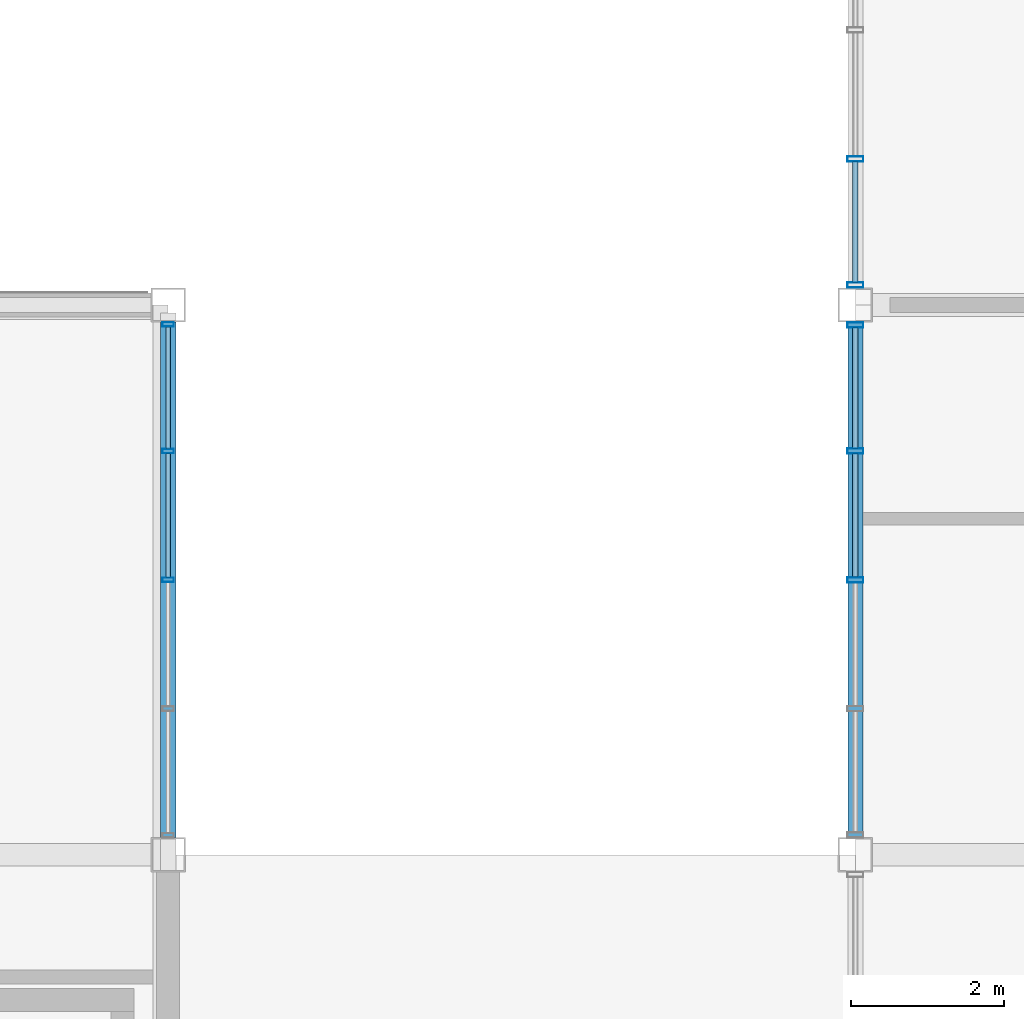
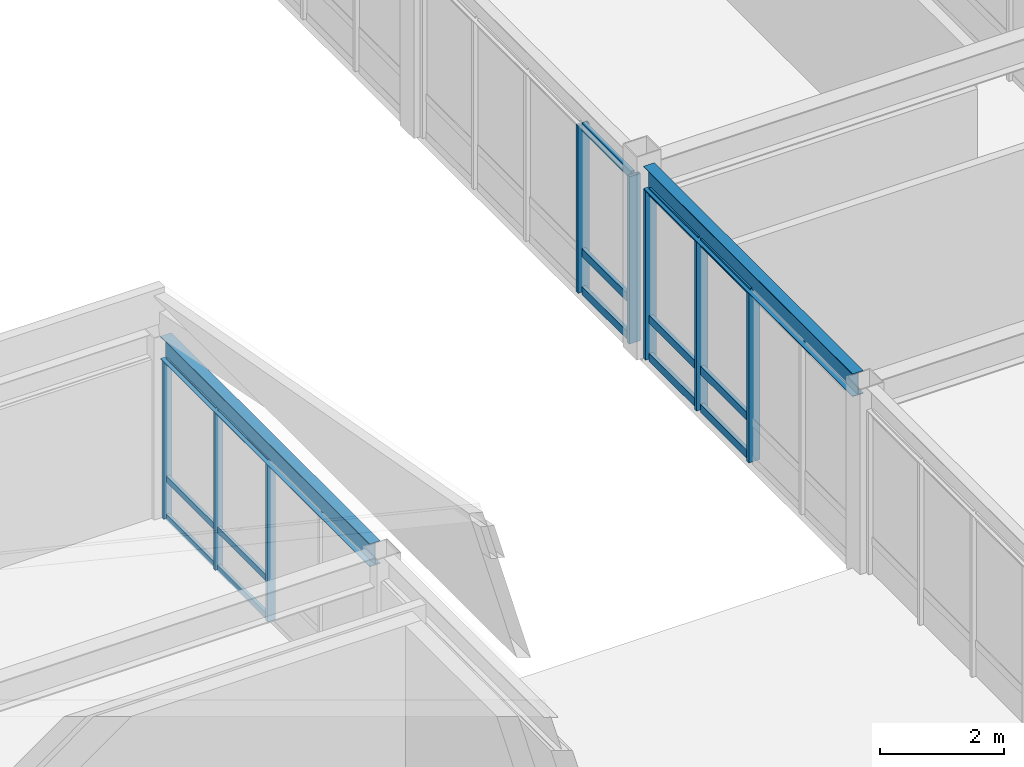
# One storey, part 31 of 113: 23 members, 2 beams, 3 elements without a shape of their own.
"""IFC4 building model written with IfcOpenShell, lengths in metres."""

from ifc_helpers import new_model, si_unit, direction, frame, origin, origin_2d, place, context, subcontext, project, spatial, hollow_rectangle, i_section, extrude, material, material_profile, profile_set, type_object, element, aggregate, save


model = new_model("IFC4")

# Units and contexts
model_context = context("Model", 3, precision=1e-05, world=origin(), true_north=direction((0.0, 1.0)))
body_context = subcontext(model_context, "Body", "Model", "MODEL_VIEW")
ifc_project = project(units=[si_unit("LENGTHUNIT", "METRE"), si_unit("AREAUNIT", "SQUARE_METRE"), si_unit("VOLUMEUNIT", "CUBIC_METRE"), si_unit("PLANEANGLEUNIT", "RADIAN"), si_unit("MASSUNIT", "GRAM", prefix="KILO")], contexts=[model_context])

# Site, building, storey
site_placement = place(None, origin())
site = spatial("IfcSite", under=ifc_project, at=site_placement, CompositionType="ELEMENT")
building_placement = place(site_placement, origin())
building = spatial("IfcBuilding", under=site, at=building_placement, Name="Kazanami Central Library", CompositionType="ELEMENT")
storey_placement = place(building_placement, frame((0.0, 0.0, 8.800048828125)))
storey = spatial("IfcBuildingStorey", under=building, at=storey_placement, Name="L03", CompositionType="ELEMENT", Elevation=8.800048828125)

# Beams
ifc_material_1 = material(Name="Steel SN490B (325 MPa)", Category="steel")
ifc_material_profile_1 = material_profile(ifc_material_1, i_section(OverallWidth=0.199951171875, OverallDepth=0.449951171875, WebThickness=0.009033203125, FlangeThickness=0.013916015625, at=origin_2d()), Name="H-450x200x9x14")
ifc_profile_set_1 = profile_set([ifc_material_profile_1], Name="Steel SN490B (325 MPa)")
beam_type = type_object("IfcBeamType", Name="BM-SP-2", PredefinedType="SPANDREL", material=ifc_profile_set_1)
for number, where, z_axis, x_axis, name in (
    (1, (36.0, 29.02294921875, 3.35498046875), (0.0, 1.0, 0.0), (-1.0, 0.0, 0.0), "Girder SP-2 L03 5/E-F"),
    (2, (45.0, 29.02294921875, 3.554931640625), (0.0, 1.0, 0.0), (-1.0, 0.0, 0.0), "Girder SP-2 L03 6/E-F"),
):
    element("IfcBeam", number, at=place(storey_placement, frame(where, z_axis=z_axis, x_axis=x_axis)), inside=storey, type_object=beam_type, Name=name, PredefinedType="SPANDREL", context=body_context, shape_type="SweptSolid", body=[
        extrude(i_section(OverallWidth=0.199951171875, OverallDepth=0.449951171875, WebThickness=0.009033203125, FlangeThickness=0.013916015625, at=origin_2d()), origin(), (0.0, 0.0, 1.0), 6.754150390625),
    ])

# Curtain wall, members
ifc_material_2 = material(Name="Acid-Etched Low-E Laminated Glass", Category="glass")
curtain_wall_type_1 = type_object("IfcCurtainWallType", Name="CW-6750x3330-M180", PredefinedType="USERDEFINED", material=ifc_material_2)
curtain_wall_1_placement = place(storey_placement, origin())
curtain_wall_1 = element("IfcCurtainWall", 3, at=curtain_wall_1_placement, inside=storey, type_object=curtain_wall_type_1, Name="Covered Link Bridge Curtain Wall CW-34 L03 W-6-04", ObjectType="UNITISED CURTAIN WALL", PredefinedType="USERDEFINED")
ifc_material_3 = material(Name="Anodised Aluminium A6063-T5", Category="aluminium")
ifc_material_profile_2 = material_profile(ifc_material_3, hollow_rectangle(XDim=0.070068359375, YDim=0.2099609375, WallThickness=0.0048828125, at=origin_2d()), Name="ALU-MULL-70x210x5")
ifc_profile_set_2 = profile_set([ifc_material_profile_2], Name="Anodised Aluminium A6063-T5")
member_type_1 = type_object("IfcMemberType", Name="MEM-CW-M1", PredefinedType="MULLION", material=ifc_profile_set_2)
member_1_placement = place(storey_placement, frame((45.0, 32.39990234375, 0.0), z_axis=(0.0, 0.0, 1.0), x_axis=(0.0, 1.0, 0.0)))
member_1 = element("IfcMember", 4, at=member_1_placement, type_object=member_type_1, Name="CW-34 mullion 3", PredefinedType="MULLION", context=body_context, shape_type="SweptSolid", body=[
    extrude(hollow_rectangle(XDim=0.070068359375, YDim=0.2099609375, WallThickness=0.0048828125, at=origin_2d()), origin(), (0.0, 0.0, 1.0), 3.329833984375),
])
member_2_placement = place(storey_placement, frame((45.0, 34.08740234375, 0.0), z_axis=(0.0, 0.0, 1.0), x_axis=(0.0, 1.0, 0.0)))
member_2 = element("IfcMember", 5, at=member_2_placement, type_object=member_type_1, Name="CW-34 mullion 4", PredefinedType="MULLION", context=body_context, shape_type="SweptSolid", body=[
    extrude(hollow_rectangle(XDim=0.070068359375, YDim=0.2099609375, WallThickness=0.0048828125, at=origin_2d()), origin(), (0.0, 0.0, 1.0), 3.329833984375),
])
member_3_placement = place(storey_placement, frame((45.0, 35.739990234375, 0.0), z_axis=(0.0, 0.0, 1.0), x_axis=(0.0, 1.0, 0.0)))
member_3 = element("IfcMember", 6, at=member_3_placement, type_object=member_type_1, Name="CW-34 mullion 5", PredefinedType="MULLION", context=body_context, shape_type="SweptSolid", body=[
    extrude(hollow_rectangle(XDim=0.070068359375, YDim=0.2099609375, WallThickness=0.0048828125, at=origin_2d()), origin(), (0.0, 0.0, 1.0), 3.329833984375),
])

curtain_wall_type_2 = type_object("IfcCurtainWallType", Name="CW-6750x3295-M180", PredefinedType="USERDEFINED", material=ifc_material_2)
curtain_wall_2_placement = place(storey_placement, origin())
curtain_wall_2 = element("IfcCurtainWall", 7, at=curtain_wall_2_placement, inside=storey, type_object=curtain_wall_type_2, Name="Covered Link Bridge Curtain Wall CW-32 L03 W-6-05", ObjectType="UNITISED CURTAIN WALL", PredefinedType="USERDEFINED")
member_4_placement = place(storey_placement, frame((45.0, 36.260009765625, 0.0), z_axis=(0.0, 0.0, 1.0), x_axis=(0.0, 1.0, 0.0)))
member_4 = element("IfcMember", 8, at=member_4_placement, type_object=member_type_1, Name="CW-32 mullion 1", PredefinedType="MULLION", context=body_context, shape_type="SweptSolid", body=[
    extrude(hollow_rectangle(XDim=0.070068359375, YDim=0.2099609375, WallThickness=0.0048828125, at=origin_2d()), origin(), (0.0, 0.0, 1.0), 3.294921875),
])
member_5_placement = place(storey_placement, frame((45.0, 37.91259765625, 0.0), z_axis=(0.0, 0.0, 1.0), x_axis=(0.0, 1.0, 0.0)))
member_5 = element("IfcMember", 9, at=member_5_placement, type_object=member_type_1, Name="CW-32 mullion 2", PredefinedType="MULLION", context=body_context, shape_type="SweptSolid", body=[
    extrude(hollow_rectangle(XDim=0.070068359375, YDim=0.2099609375, WallThickness=0.0048828125, at=origin_2d()), origin(), (0.0, 0.0, 1.0), 3.294921875),
])

curtain_wall_type_3 = type_object("IfcCurtainWallType", Name="CW-6750x3130-M180", PredefinedType="USERDEFINED", material=ifc_material_2)
curtain_wall_3_placement = place(storey_placement, origin())
curtain_wall_3 = element("IfcCurtainWall", 10, at=curtain_wall_3_placement, inside=storey, type_object=curtain_wall_type_3, Name="Covered Link Bridge Curtain Wall CW-33 L03 E-5-04", ObjectType="UNITISED CURTAIN WALL", PredefinedType="USERDEFINED")
ifc_material_profile_3 = material_profile(ifc_material_3, hollow_rectangle(XDim=0.06005859375, YDim=0.14990234375, WallThickness=0.00390625, at=origin_2d()), Name="ALU-MULL-60x150x4")
ifc_profile_set_3 = profile_set([ifc_material_profile_3], Name="Anodised Aluminium A6063-T5")
member_type_2 = type_object("IfcMemberType", Name="MEM-CW-M3", PredefinedType="MULLION", material=ifc_profile_set_3)
member_6_placement = place(storey_placement, frame((36.0, 35.7451171875, 0.0), z_axis=(0.0, 0.0, 1.0), x_axis=(0.0, -1.0, 0.0)))
member_6 = element("IfcMember", 11, at=member_6_placement, type_object=member_type_2, Name="CW-33 mullion 1", PredefinedType="MULLION", context=body_context, shape_type="SweptSolid", body=[
    extrude(hollow_rectangle(XDim=0.06005859375, YDim=0.14990234375, WallThickness=0.00390625, at=origin_2d()), origin(), (0.0, 0.0, 1.0), 3.1298828125),
])
member_7_placement = place(storey_placement, frame((36.0, 34.08740234375, 0.0), z_axis=(0.0, 0.0, 1.0), x_axis=(0.0, -1.0, 0.0)))
member_7 = element("IfcMember", 12, at=member_7_placement, type_object=member_type_2, Name="CW-33 mullion 2", PredefinedType="MULLION", context=body_context, shape_type="SweptSolid", body=[
    extrude(hollow_rectangle(XDim=0.06005859375, YDim=0.14990234375, WallThickness=0.00390625, at=origin_2d()), origin(), (0.0, 0.0, 1.0), 3.1298828125),
])
member_8_placement = place(storey_placement, frame((36.0, 32.39990234375, 0.0), z_axis=(0.0, 0.0, 1.0), x_axis=(0.0, -1.0, 0.0)))
member_8 = element("IfcMember", 13, at=member_8_placement, type_object=member_type_2, Name="CW-33 mullion 3", PredefinedType="MULLION", context=body_context, shape_type="SweptSolid", body=[
    extrude(hollow_rectangle(XDim=0.06005859375, YDim=0.14990234375, WallThickness=0.00390625, at=origin_2d()), origin(), (0.0, 0.0, 1.0), 3.1298828125),
])

# Member
ifc_material_profile_4 = material_profile(ifc_material_3, hollow_rectangle(XDim=0.070068359375, YDim=0.159912109375, WallThickness=0.00390625, at=origin_2d()), Name="ALU-TRAN-70x160x4")
ifc_profile_set_4 = profile_set([ifc_material_profile_4], Name="Anodised Aluminium A6063-T5")
member_type_3 = type_object("IfcMemberType", Name="MEM-CW-T1", PredefinedType="USERDEFINED", material=ifc_profile_set_4)
member_9_placement = place(storey_placement, frame((45.0, 32.43505859375, 0.034912109375), z_axis=(0.0, 1.0, 0.0), x_axis=(-1.0, 0.0, 0.0)))
member_9 = element("IfcMember", 14, at=member_9_placement, type_object=member_type_3, Name="CW-34 transom 3.1", ObjectType="TRANSOM", PredefinedType="USERDEFINED", context=body_context, shape_type="SweptSolid", body=[
    extrude(hollow_rectangle(XDim=0.070068359375, YDim=0.159912109375, WallThickness=0.00390625, at=origin_2d()), origin(), (0.0, 0.0, 1.0), 1.617431640625),
])

member_10_placement = place(storey_placement, frame((45.0, 32.43505859375, 0.780029296875), z_axis=(0.0, 1.0, 0.0), x_axis=(-1.0, 0.0, 0.0)))
member_10 = element("IfcMember", 15, at=member_10_placement, type_object=member_type_3, Name="CW-34 transom 3.2", ObjectType="TRANSOM", PredefinedType="USERDEFINED", context=body_context, shape_type="SweptSolid", body=[
    extrude(hollow_rectangle(XDim=0.070068359375, YDim=0.159912109375, WallThickness=0.00390625, at=origin_2d()), origin(), (0.0, 0.0, 1.0), 1.617431640625),
])

member_11_placement = place(storey_placement, frame((45.0, 32.43505859375, 3.294921875), z_axis=(0.0, 1.0, 0.0), x_axis=(-1.0, 0.0, 0.0)))
member_11 = element("IfcMember", 16, at=member_11_placement, type_object=member_type_3, Name="CW-34 transom 3.3", ObjectType="TRANSOM", PredefinedType="USERDEFINED", context=body_context, shape_type="SweptSolid", body=[
    extrude(hollow_rectangle(XDim=0.070068359375, YDim=0.159912109375, WallThickness=0.00390625, at=origin_2d()), origin(), (0.0, 0.0, 1.0), 1.617431640625),
])

member_12_placement = place(storey_placement, frame((45.0, 34.12255859375, 0.034912109375), z_axis=(0.0, 1.0, 0.0), x_axis=(-1.0, 0.0, 0.0)))
member_12 = element("IfcMember", 17, at=member_12_placement, type_object=member_type_3, Name="CW-34 transom 4.1", ObjectType="TRANSOM", PredefinedType="USERDEFINED", context=body_context, shape_type="SweptSolid", body=[
    extrude(hollow_rectangle(XDim=0.070068359375, YDim=0.159912109375, WallThickness=0.00390625, at=origin_2d()), origin(), (0.0, 0.0, 1.0), 1.58251953125),
])

member_13_placement = place(storey_placement, frame((45.0, 34.12255859375, 0.780029296875), z_axis=(0.0, 1.0, 0.0), x_axis=(-1.0, 0.0, 0.0)))
member_13 = element("IfcMember", 18, at=member_13_placement, type_object=member_type_3, Name="CW-34 transom 4.2", ObjectType="TRANSOM", PredefinedType="USERDEFINED", context=body_context, shape_type="SweptSolid", body=[
    extrude(hollow_rectangle(XDim=0.070068359375, YDim=0.159912109375, WallThickness=0.00390625, at=origin_2d()), origin(), (0.0, 0.0, 1.0), 1.58251953125),
])

member_14_placement = place(storey_placement, frame((45.0, 34.12255859375, 3.294921875), z_axis=(0.0, 1.0, 0.0), x_axis=(-1.0, 0.0, 0.0)))
member_14 = element("IfcMember", 19, at=member_14_placement, type_object=member_type_3, Name="CW-34 transom 4.3", ObjectType="TRANSOM", PredefinedType="USERDEFINED", context=body_context, shape_type="SweptSolid", body=[
    extrude(hollow_rectangle(XDim=0.070068359375, YDim=0.159912109375, WallThickness=0.00390625, at=origin_2d()), origin(), (0.0, 0.0, 1.0), 1.58251953125),
])

aggregate(curtain_wall_1, [member_1, member_2, member_3, member_9, member_10, member_11, member_12, member_13, member_14])

member_15_placement = place(storey_placement, frame((45.0, 36.294921875, 0.034912109375), z_axis=(0.0, 1.0, 0.0), x_axis=(-1.0, 0.0, 0.0)))
member_15 = element("IfcMember", 20, at=member_15_placement, type_object=member_type_3, Name="CW-32 transom 1.1", ObjectType="TRANSOM", PredefinedType="USERDEFINED", context=body_context, shape_type="SweptSolid", body=[
    extrude(hollow_rectangle(XDim=0.070068359375, YDim=0.159912109375, WallThickness=0.00390625, at=origin_2d()), origin(), (0.0, 0.0, 1.0), 1.58251953125),
])

member_16_placement = place(storey_placement, frame((45.0, 36.294921875, 0.780029296875), z_axis=(0.0, 1.0, 0.0), x_axis=(-1.0, 0.0, 0.0)))
member_16 = element("IfcMember", 21, at=member_16_placement, type_object=member_type_3, Name="CW-32 transom 1.2", ObjectType="TRANSOM", PredefinedType="USERDEFINED", context=body_context, shape_type="SweptSolid", body=[
    extrude(hollow_rectangle(XDim=0.070068359375, YDim=0.159912109375, WallThickness=0.00390625, at=origin_2d()), origin(), (0.0, 0.0, 1.0), 1.58251953125),
])

member_17_placement = place(storey_placement, frame((45.0, 36.294921875, 3.260009765625), z_axis=(0.0, 1.0, 0.0), x_axis=(-1.0, 0.0, 0.0)))
member_17 = element("IfcMember", 22, at=member_17_placement, type_object=member_type_3, Name="CW-32 transom 1.3", ObjectType="TRANSOM", PredefinedType="USERDEFINED", context=body_context, shape_type="SweptSolid", body=[
    extrude(hollow_rectangle(XDim=0.070068359375, YDim=0.159912109375, WallThickness=0.00390625, at=origin_2d()), origin(), (0.0, 0.0, 1.0), 1.58251953125),
])

aggregate(curtain_wall_2, [member_4, member_5, member_15, member_16, member_17])

ifc_material_profile_5 = material_profile(ifc_material_3, hollow_rectangle(XDim=0.06005859375, YDim=0.1201171875, WallThickness=0.00341796875, at=origin_2d()), Name="ALU-TRAN-60x120x3.5")
ifc_profile_set_5 = profile_set([ifc_material_profile_5], Name="Anodised Aluminium A6063-T5")
member_type_4 = type_object("IfcMemberType", Name="MEM-CW-T3", PredefinedType="USERDEFINED", material=ifc_profile_set_5)
member_18_placement = place(storey_placement, frame((36.0, 35.715087890625, 0.030029296875), z_axis=(0.0, -1.0, 0.0), x_axis=(1.0, 0.0, 0.0)))
member_18 = element("IfcMember", 23, at=member_18_placement, type_object=member_type_4, Name="CW-33 transom 1.1", ObjectType="TRANSOM", PredefinedType="USERDEFINED", context=body_context, shape_type="SweptSolid", body=[
    extrude(hollow_rectangle(XDim=0.06005859375, YDim=0.1201171875, WallThickness=0.00341796875, at=origin_2d()), origin(), (0.0, 0.0, 1.0), 1.59765625),
])

member_19_placement = place(storey_placement, frame((36.0, 35.715087890625, 0.780029296875), z_axis=(0.0, -1.0, 0.0), x_axis=(1.0, 0.0, 0.0)))
member_19 = element("IfcMember", 24, at=member_19_placement, type_object=member_type_4, Name="CW-33 transom 1.2", ObjectType="TRANSOM", PredefinedType="USERDEFINED", context=body_context, shape_type="SweptSolid", body=[
    extrude(hollow_rectangle(XDim=0.06005859375, YDim=0.1201171875, WallThickness=0.00341796875, at=origin_2d()), origin(), (0.0, 0.0, 1.0), 1.59765625),
])

member_20_placement = place(storey_placement, frame((36.0, 35.715087890625, 3.099853515625), z_axis=(0.0, -1.0, 0.0), x_axis=(1.0, 0.0, 0.0)))
member_20 = element("IfcMember", 25, at=member_20_placement, type_object=member_type_4, Name="CW-33 transom 1.3", ObjectType="TRANSOM", PredefinedType="USERDEFINED", context=body_context, shape_type="SweptSolid", body=[
    extrude(hollow_rectangle(XDim=0.06005859375, YDim=0.1201171875, WallThickness=0.00341796875, at=origin_2d()), origin(), (0.0, 0.0, 1.0), 1.59765625),
])

member_21_placement = place(storey_placement, frame((36.0, 34.0576171875, 0.030029296875), z_axis=(0.0, -1.0, 0.0), x_axis=(1.0, 0.0, 0.0)))
member_21 = element("IfcMember", 26, at=member_21_placement, type_object=member_type_4, Name="CW-33 transom 2.1", ObjectType="TRANSOM", PredefinedType="USERDEFINED", context=body_context, shape_type="SweptSolid", body=[
    extrude(hollow_rectangle(XDim=0.06005859375, YDim=0.1201171875, WallThickness=0.00341796875, at=origin_2d()), origin(), (0.0, 0.0, 1.0), 1.627685546875),
])

member_22_placement = place(storey_placement, frame((36.0, 34.0576171875, 0.780029296875), z_axis=(0.0, -1.0, 0.0), x_axis=(1.0, 0.0, 0.0)))
member_22 = element("IfcMember", 27, at=member_22_placement, type_object=member_type_4, Name="CW-33 transom 2.2", ObjectType="TRANSOM", PredefinedType="USERDEFINED", context=body_context, shape_type="SweptSolid", body=[
    extrude(hollow_rectangle(XDim=0.06005859375, YDim=0.1201171875, WallThickness=0.00341796875, at=origin_2d()), origin(), (0.0, 0.0, 1.0), 1.627685546875),
])

member_23_placement = place(storey_placement, frame((36.0, 34.0576171875, 3.099853515625), z_axis=(0.0, -1.0, 0.0), x_axis=(1.0, 0.0, 0.0)))
member_23 = element("IfcMember", 28, at=member_23_placement, type_object=member_type_4, Name="CW-33 transom 2.3", ObjectType="TRANSOM", PredefinedType="USERDEFINED", context=body_context, shape_type="SweptSolid", body=[
    extrude(hollow_rectangle(XDim=0.06005859375, YDim=0.1201171875, WallThickness=0.00341796875, at=origin_2d()), origin(), (0.0, 0.0, 1.0), 1.627685546875),
])

aggregate(curtain_wall_3, [member_6, member_7, member_8, member_18, member_19, member_20, member_21, member_22, member_23])

save(model, "model.ifc")
